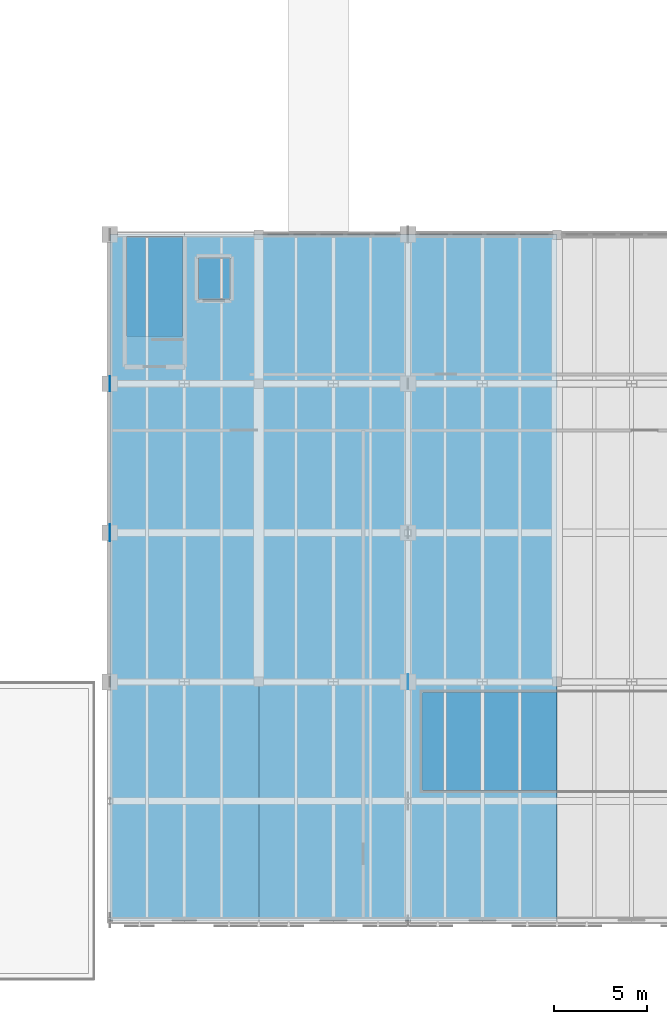
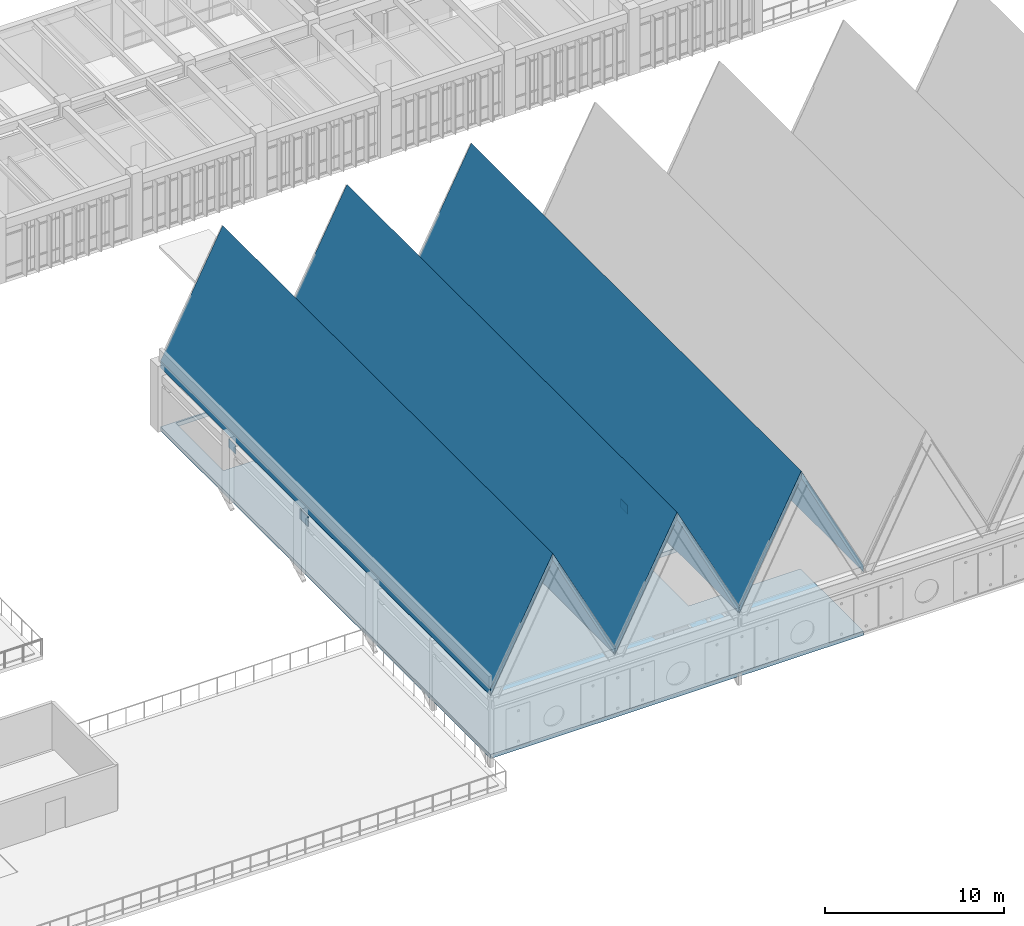
# One storey, part 32 of 72: 7 slabs, 3 plates.
"""IFC4 building model written with IfcOpenShell, lengths in metres."""

from ifc_helpers import new_model, si_unit, direction, frame, origin, origin_2d, place, context, subcontext, project, spatial, polyline, rectangle, outline, extrude, material, layer, layer_set, type_object, element, save


model = new_model("IFC4")

# Units and contexts
model_context = context("Model", 3, precision=1e-05, world=origin(), true_north=direction((0.0, 1.0)))
body_context = subcontext(model_context, "Body", "Model", "MODEL_VIEW")
ifc_project = project(units=[si_unit("LENGTHUNIT", "METRE"), si_unit("AREAUNIT", "SQUARE_METRE"), si_unit("VOLUMEUNIT", "CUBIC_METRE"), si_unit("PLANEANGLEUNIT", "RADIAN"), si_unit("MASSUNIT", "GRAM", prefix="KILO")], contexts=[model_context])

# Site, building, storey
site_placement = place(None, origin())
site = spatial("IfcSite", under=ifc_project, at=site_placement, CompositionType="ELEMENT")
building_placement = place(site_placement, origin())
building = spatial("IfcBuilding", under=site, at=building_placement, Name="Tlaxcora Railside Police Headquarters", CompositionType="ELEMENT")
storey_placement = place(building_placement, frame((0.0, 0.0, 13.5)))
storey = spatial("IfcBuildingStorey", under=building, at=storey_placement, Name="L03", CompositionType="ELEMENT", Elevation=13.5)

# Slabs
ifc_material_1 = material(Name="Concrete C40/50", Category="concrete")
ifc_layer_1 = layer(ifc_material_1, 0.219970703125, Name="Concrete C40/50")
ifc_layer_set_1 = layer_set([ifc_layer_1], Name="Concrete C40/50")
slab_type_1 = type_object("IfcSlabType", Name="Folded or Flat Roof Slab SL-21", PredefinedType="ROOF", material=ifc_layer_set_1)
slab_1_placement = place(storey_placement, frame((46.0, 60.0, 0.0), z_axis=(0.0, -1.0, 0.0), x_axis=(1.0, 0.0, 0.0)))
element("IfcSlab", 1, at=slab_1_placement, inside=storey, type_object=slab_type_1, Name="Command Hall sawtooth gable 1 west facet", PredefinedType="ROOF", context=body_context, shape_type="SweptSolid", body=[
    extrude(outline(polyline([(0.0, 4.017822265625), (4.0, 11.81787109375), (4.0, 12.300048828125), (0.0, 4.5), (0.0, 4.017822265625)])), origin(), (0.0, 0.0, 1.0), 36.800048828125),
])
slab_2_placement = place(storey_placement, frame((50.0, 60.0, 0.0), z_axis=(0.0, -1.0, 0.0), x_axis=(1.0, 0.0, 0.0)))
element("IfcSlab", 2, at=slab_2_placement, inside=storey, type_object=slab_type_1, Name="Command Hall sawtooth gable 1 east facet", PredefinedType="ROOF", context=body_context, shape_type="SweptSolid", body=[
    extrude(outline(polyline([(0.0, 11.81787109375), (4.0, 4.017822265625), (4.0, 4.5), (0.0, 12.300048828125), (0.0, 11.81787109375)])), origin(), (0.0, 0.0, 1.0), 36.800048828125),
])
slab_3_placement = place(storey_placement, frame((54.0, 60.0, 0.0), z_axis=(0.0, -1.0, 0.0), x_axis=(1.0, 0.0, 0.0)))
element("IfcSlab", 3, at=slab_3_placement, inside=storey, type_object=slab_type_1, Name="Command Hall sawtooth gable 2 west facet", PredefinedType="ROOF", context=body_context, shape_type="SweptSolid", body=[
    extrude(outline(polyline([(0.0, 4.017822265625), (4.0, 11.81787109375), (4.0, 12.300048828125), (0.0, 4.5), (0.0, 4.017822265625)])), origin(), (0.0, 0.0, 1.0), 36.800048828125),
])
slab_4_placement = place(storey_placement, frame((58.0, 60.0, 0.0), z_axis=(0.0, -1.0, 0.0), x_axis=(1.0, 0.0, 0.0)))
element("IfcSlab", 4, at=slab_4_placement, inside=storey, type_object=slab_type_1, Name="Command Hall sawtooth gable 2 east facet", PredefinedType="ROOF", context=body_context, shape_type="SweptSolid", body=[
    extrude(outline(polyline([(0.0, 11.81787109375), (4.0, 4.017822265625), (4.0, 4.5), (0.0, 12.300048828125), (0.0, 11.81787109375)])), origin(), (0.0, 0.0, 1.0), 36.800048828125),
])
slab_5_placement = place(storey_placement, frame((62.0, 60.0, 0.0), z_axis=(0.0, -1.0, 0.0), x_axis=(1.0, 0.0, 0.0)))
element("IfcSlab", 5, at=slab_5_placement, inside=storey, type_object=slab_type_1, Name="Command Hall sawtooth gable 3 west facet", PredefinedType="ROOF", context=body_context, shape_type="SweptSolid", body=[
    extrude(outline(polyline([(0.0, 4.017822265625), (4.0, 11.81787109375), (4.0, 12.300048828125), (0.0, 4.5), (0.0, 4.017822265625)])), origin(), (0.0, 0.0, 1.0), 36.800048828125),
])
slab_6_placement = place(storey_placement, frame((66.0, 60.0, 0.0), z_axis=(0.0, -1.0, 0.0), x_axis=(1.0, 0.0, 0.0)))
element("IfcSlab", 6, at=slab_6_placement, inside=storey, type_object=slab_type_1, Name="Command Hall sawtooth gable 3 east facet", PredefinedType="ROOF", context=body_context, shape_type="SweptSolid", body=[
    extrude(outline(polyline([(0.0, 11.81787109375), (4.0, 4.017822265625), (4.0, 4.5), (0.0, 12.300048828125), (0.0, 11.81787109375)])), origin(), (0.0, 0.0, 1.0), 36.800048828125),
])

# Plates
ifc_material_2 = material(Name="Steel ASTM A992 Grade 50", Category="steel")
ifc_layer_2 = layer(ifc_material_2, 0.030029296875, Name="Steel ASTM A992 Grade 50")
ifc_layer_set_2 = layer_set([ifc_layer_2], Name="Steel ASTM A992 Grade 50")
plate_type_1 = type_object("IfcPlateType", Name="Structural Gusset or Cap Plate GP-78", PredefinedType="USERDEFINED", material=ifc_layer_set_2)
for number, where, z_axis, x_axis, name in (
    (7, (46.0, 52.0, 3.219970703125), (0.0, 0.0, 1.0), (0.0, 1.0, 0.0), "Truss top-chord gusset plate KNT-1-1"),
    (8, (62.0, 36.0, 3.219970703125), (0.0, 0.0, 1.0), (0.0, 1.0, 0.0), "Truss top-chord gusset plate KNT-2-3"),
):
    element("IfcPlate", number, at=place(storey_placement, frame(where, z_axis=z_axis, x_axis=x_axis)), inside=storey, type_object=plate_type_1, Name=name, ObjectType="GUSSET PLATE", PredefinedType="USERDEFINED", context=body_context, shape_type="SweptSolid", body=[
        extrude(rectangle(XDim=0.800048828125, YDim=0.030029296875, at=origin_2d()), origin(), (0.0, 0.0, 1.0), 0.60009765625),
    ])
ifc_layer_3 = layer(ifc_material_2, 0.031982421875, Name="Steel ASTM A992 Grade 50")
ifc_layer_set_3 = layer_set([ifc_layer_3], Name="Steel ASTM A992 Grade 50")
plate_type_2 = type_object("IfcPlateType", Name="Structural Gusset or Cap Plate GP-80", PredefinedType="USERDEFINED", material=ifc_layer_set_3)
plate_placement = place(storey_placement, frame((46.0, 44.0, 3.195068359375), z_axis=(0.0, 0.0, 1.0), x_axis=(0.0, 1.0, 0.0)))
element("IfcPlate", 9, at=plate_placement, inside=storey, type_object=plate_type_2, Name="Truss top-chord gusset plate KNT-1-2", ObjectType="GUSSET PLATE", PredefinedType="USERDEFINED", context=body_context, shape_type="SweptSolid", body=[
    extrude(rectangle(XDim=0.89990234375, YDim=0.031982421875, at=origin_2d()), origin(), (0.0, 0.0, 1.0), 0.64990234375),
])

# Slab
ifc_material_3 = material(Name="Concrete C35/45", Category="concrete")
ifc_layer_4 = layer(ifc_material_3, 0.280029296875, Name="Concrete C35/45")
ifc_layer_set_4 = layer_set([ifc_layer_4], Name="Concrete C35/45")
slab_type_2 = type_object("IfcSlabType", Name="Suspended Floor Slab SL-16", PredefinedType="FLOOR", material=ifc_layer_set_4)
slab_7_placement = place(storey_placement, frame((0.0, 0.0, -0.280029296875)))
element("IfcSlab", 10, at=slab_7_placement, inside=storey, type_object=slab_type_2, Name="V2 L03 floor slab zone 1", PredefinedType="FLOOR", context=body_context, shape_type="SweptSolid", body=[
    extrude(outline(polyline([(62.800048828125, 30.199951171875), (62.800048828125, 35.39990234375), (70.0, 35.39990234375), (70.0, 60.0), (46.0, 60.0), (46.0, 23.199951171875), (70.0, 23.199951171875), (70.0, 30.199951171875), (62.800048828125, 30.199951171875)]), holes=[polyline([(46.909912109375, 54.550048828125), (46.909912109375, 59.889892578125), (49.909912109375, 59.889892578125), (49.909912109375, 54.550048828125), (46.909912109375, 54.550048828125)]), polyline([(50.75, 58.75), (52.449951171875, 58.75), (52.449951171875, 56.550048828125), (50.75, 56.550048828125), (50.75, 58.75)])]), origin(), (0.0, 0.0, 1.0), 0.280029296875),
])

save(model, "model.ifc")
